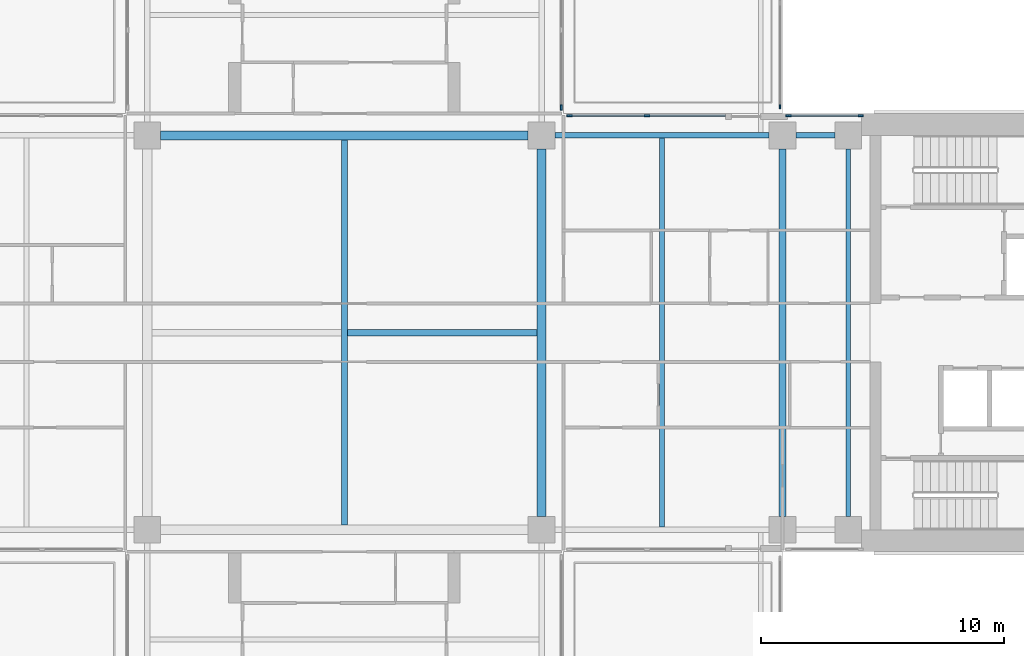
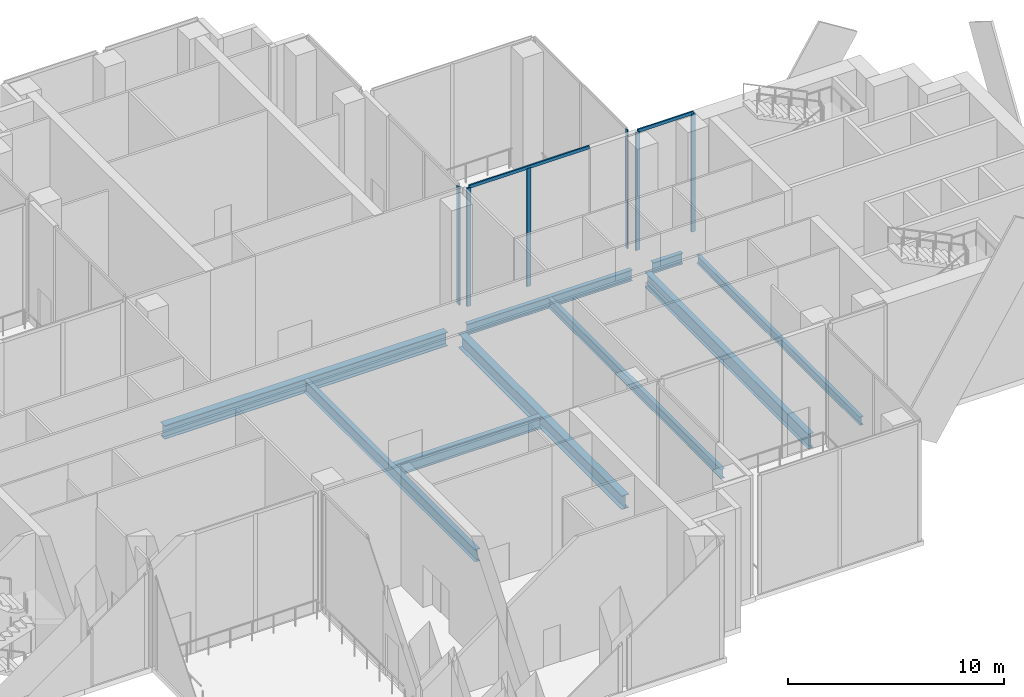
# One storey, part 4 of 17: 9 beams, 8 members, 4 elements without a shape of their own.
"""IFC4 building model written with IfcOpenShell, lengths in metres."""

from ifc_helpers import new_model, si_unit, direction, frame, origin, origin_2d, place, context, subcontext, project, spatial, rectangle, i_section, extrude, material, material_profile, profile_set, type_object, element, aggregate, save


model = new_model("IFC4")

# Units and contexts
model_context = context("Model", 3, precision=1e-05, world=origin(), true_north=direction((0.0, 1.0)))
body_context = subcontext(model_context, "Body", "Model", "MODEL_VIEW")
ifc_project = project(units=[si_unit("LENGTHUNIT", "METRE"), si_unit("AREAUNIT", "SQUARE_METRE"), si_unit("VOLUMEUNIT", "CUBIC_METRE"), si_unit("PLANEANGLEUNIT", "RADIAN"), si_unit("MASSUNIT", "GRAM", prefix="KILO")], contexts=[model_context])

# Site, building, storey
site_placement = place(None, origin())
site = spatial("IfcSite", under=ifc_project, at=site_placement, CompositionType="ELEMENT")
building_placement = place(site_placement, origin())
building = spatial("IfcBuilding", under=site, at=building_placement, Name="Perihelion Cross Residences", CompositionType="ELEMENT")
storey_placement = place(building_placement, frame((0.0, 0.0, 154.89990234375)))
storey = spatial("IfcBuildingStorey", under=building, at=storey_placement, Name="L38", CompositionType="ELEMENT", Elevation=154.89990234375)

# Curtain wall, members
ifc_material_1 = material(Name="Bronze anodised aluminium, tinted glazing", Category="aluminium")
curtain_wall_type_1 = type_object("IfcCurtainWallType", Name="CW3", PredefinedType="NOTDEFINED", material=ifc_material_1)
curtain_wall_1_placement = place(storey_placement, origin())
curtain_wall_1 = element("IfcCurtainWall", 1, at=curtain_wall_1_placement, inside=storey, type_object=curtain_wall_type_1, Name="Curtain wall CW3 L38 east side north bay 1", PredefinedType="NOTDEFINED")
ifc_material_2 = material(Name="Bronze anodised aluminium", Category="aluminium")
ifc_material_profile_1 = material_profile(ifc_material_2, rectangle(XDim=0.080078125, YDim=0.219970703125, at=origin_2d()), Name="CW3 mullion")
ifc_profile_set_1 = profile_set([ifc_material_profile_1], Name="Bronze anodised aluminium")
member_type_1 = type_object("IfcMemberType", Name="CW3 mullion", PredefinedType="MULLION", material=ifc_profile_set_1)
member_1_placement = place(storey_placement, frame((21.2099609375, 8.89990234375, 0.0), z_axis=(0.0, 0.0, 1.0), x_axis=(0.0, -1.0, 0.0)))
member_1 = element("IfcMember", 2, at=member_1_placement, type_object=member_type_1, Name="CW3 mullion 1", PredefinedType="MULLION", context=body_context, shape_type="SweptSolid", body=[
    extrude(rectangle(XDim=0.080078125, YDim=0.219970703125, at=origin_2d()), origin(), (0.0, 0.0, 1.0), 6.670166015625),
])
member_2_placement = place(storey_placement, frame((18.239990234375, 8.89990234375, 0.0), z_axis=(0.0, 0.0, 1.0), x_axis=(0.0, -1.0, 0.0)))
member_2 = element("IfcMember", 3, at=member_2_placement, type_object=member_type_1, Name="CW3 mullion 2", PredefinedType="MULLION", context=body_context, shape_type="SweptSolid", body=[
    extrude(rectangle(XDim=0.080078125, YDim=0.219970703125, at=origin_2d()), origin(), (0.0, 0.0, 1.0), 6.670166015625),
])

curtain_wall_2_placement = place(storey_placement, origin())
curtain_wall_2 = element("IfcCurtainWall", 4, at=curtain_wall_2_placement, inside=storey, type_object=curtain_wall_type_1, Name="Curtain wall CW3 L38 east side north bay 2", PredefinedType="NOTDEFINED")
member_3_placement = place(storey_placement, frame((12.425048828125, 8.89990234375, 0.0), z_axis=(0.0, 0.0, 1.0), x_axis=(0.0, -1.0, 0.0)))
member_3 = element("IfcMember", 5, at=member_3_placement, type_object=member_type_1, Name="CW3 mullion 2", PredefinedType="MULLION", context=body_context, shape_type="SweptSolid", body=[
    extrude(rectangle(XDim=0.080078125, YDim=0.219970703125, at=origin_2d()), origin(), (0.0, 0.0, 1.0), 6.670166015625),
])
member_4_placement = place(storey_placement, frame((9.239990234375, 8.89990234375, 0.0), z_axis=(0.0, 0.0, 1.0), x_axis=(0.0, -1.0, 0.0)))
member_4 = element("IfcMember", 6, at=member_4_placement, type_object=member_type_1, Name="CW3 mullion 3", PredefinedType="MULLION", context=body_context, shape_type="SweptSolid", body=[
    extrude(rectangle(XDim=0.080078125, YDim=0.219970703125, at=origin_2d()), origin(), (0.0, 0.0, 1.0), 6.670166015625),
])

# Curtain wall, member
curtain_wall_3_placement = place(storey_placement, origin())
curtain_wall_3 = element("IfcCurtainWall", 7, at=curtain_wall_3_placement, inside=storey, type_object=curtain_wall_type_1, Name="Curtain wall CW3 L38 north side east bay 1", PredefinedType="NOTDEFINED")
member_5_placement = place(storey_placement, frame((8.89990234375, 9.239990234375, 0.0), z_axis=(0.0, 0.0, 1.0), x_axis=(-1.0, 0.0, 0.0)))
member_5 = element("IfcMember", 8, at=member_5_placement, type_object=member_type_1, Name="CW3 mullion 1", PredefinedType="MULLION", context=body_context, shape_type="SweptSolid", body=[
    extrude(rectangle(XDim=0.080078125, YDim=0.219970703125, at=origin_2d()), origin(), (0.0, 0.0, 1.0), 6.670166015625),
])
aggregate(curtain_wall_3, [member_5])

# Member
ifc_material_3 = material(Name="Bronze anodised aluminium", Category="aluminium")
ifc_material_profile_2 = material_profile(ifc_material_3, rectangle(XDim=0.080078125, YDim=0.179931640625, at=origin_2d()), Name="CW3 transom")
ifc_profile_set_2 = profile_set([ifc_material_profile_2], Name="Bronze anodised aluminium")
member_type_2 = type_object("IfcMemberType", Name="CW3 transom", PredefinedType="USERDEFINED", material=ifc_profile_set_2)
member_6_placement = place(storey_placement, frame((21.2099609375, 8.89990234375, 6.710205078125), z_axis=(-1.0, 0.0, 0.0), x_axis=(0.0, -1.0, 0.0)))
member_6 = element("IfcMember", 9, at=member_6_placement, type_object=member_type_2, Name="CW3 head transom", ObjectType="TRANSOM", PredefinedType="USERDEFINED", context=body_context, shape_type="SweptSolid", body=[
    extrude(rectangle(XDim=0.080078125, YDim=0.179931640625, at=origin_2d()), origin(), (0.0, 0.0, 1.0), 2.969970703125),
])

aggregate(curtain_wall_1, [member_1, member_2, member_6])

member_7_placement = place(storey_placement, frame((15.64990234375, 8.89990234375, 6.710205078125), z_axis=(-1.0, 0.0, 0.0), x_axis=(0.0, -1.0, 0.0)))
member_7 = element("IfcMember", 10, at=member_7_placement, type_object=member_type_2, Name="CW3 head transom", ObjectType="TRANSOM", PredefinedType="USERDEFINED", context=body_context, shape_type="SweptSolid", body=[
    extrude(rectangle(XDim=0.080078125, YDim=0.179931640625, at=origin_2d()), origin(), (0.0, 0.0, 1.0), 6.409912109375),
])

aggregate(curtain_wall_2, [member_3, member_4, member_7])

# Curtain wall, member
ifc_material_4 = material(Name="Bronze anodised aluminium, tinted glazing", Category="aluminium")
curtain_wall_type_2 = type_object("IfcCurtainWallType", Name="CW4", PredefinedType="NOTDEFINED", material=ifc_material_4)
curtain_wall_4_placement = place(storey_placement, origin())
curtain_wall_4 = element("IfcCurtainWall", 11, at=curtain_wall_4_placement, inside=storey, type_object=curtain_wall_type_2, Name="Curtain wall CW4 L38 pocket north-east 1 2", PredefinedType="NOTDEFINED")
ifc_material_5 = material(Name="Bronze anodised aluminium", Category="aluminium")
ifc_material_profile_3 = material_profile(ifc_material_5, rectangle(XDim=0.06005859375, YDim=0.179931640625, at=origin_2d()), Name="CW4 mullion")
ifc_profile_set_3 = profile_set([ifc_material_profile_3], Name="Bronze anodised aluminium")
member_type_3 = type_object("IfcMemberType", Name="CW4 mullion", PredefinedType="MULLION", material=ifc_profile_set_3)
member_8_placement = place(storey_placement, frame((17.89990234375, 9.280029296875, 0.0), z_axis=(0.0, 0.0, 1.0), x_axis=(1.0, 0.0, 0.0)))
member_8 = element("IfcMember", 12, at=member_8_placement, type_object=member_type_3, Name="CW4 mullion 3", PredefinedType="MULLION", context=body_context, shape_type="SweptSolid", body=[
    extrude(rectangle(XDim=0.06005859375, YDim=0.179931640625, at=origin_2d()), origin(), (0.0, 0.0, 1.0), 6.690185546875),
])
aggregate(curtain_wall_4, [member_8])

# Beams
ifc_material_6 = material(Name="Steel S355", Category="steel")
ifc_material_profile_4 = material_profile(ifc_material_6, i_section(OverallWidth=0.194091796875, OverallDepth=0.469970703125, WebThickness=0.0126953125, FlangeThickness=0.0205078125, at=origin_2d()), Name="W460x106")
ifc_profile_set_4 = profile_set([ifc_material_profile_4], Name="Steel S355")
beam_type_1 = type_object("IfcBeamType", Name="Core edge beam W460x106", PredefinedType="BEAM", material=ifc_profile_set_4)
beam_1_placement = place(storey_placement, frame((20.699951171875, -7.550048828125, -0.534912109375), z_axis=(0.0, 1.0, 0.0), x_axis=(-1.0, 0.0, 0.0)))
element("IfcBeam", 13, at=beam_1_placement, inside=storey, type_object=beam_type_1, Name="Core edge beam TB5 L38 no. 2", PredefinedType="BEAM", context=body_context, shape_type="SweptSolid", body=[
    extrude(i_section(OverallWidth=0.194091796875, OverallDepth=0.469970703125, WebThickness=0.0126953125, FlangeThickness=0.0205078125, at=origin_2d()), origin(), (0.0, 0.0, 1.0), 15.10009765625),
])
ifc_material_7 = material(Name="Steel S355", Category="steel")
ifc_material_profile_5 = material_profile(ifc_material_7, i_section(OverallWidth=0.22900390625, OverallDepth=0.612060546875, WebThickness=0.011962890625, FlangeThickness=0.01953125, at=origin_2d()), Name="W610x125")
ifc_profile_set_5 = profile_set([ifc_material_profile_5], Name="Steel S355")
beam_type_2 = type_object("IfcBeamType", Name="Edge beam W610x125", PredefinedType="SPANDREL", material=ifc_profile_set_5)
beam_2_placement = place(storey_placement, frame((20.14990234375, 8.10009765625, -0.60595703125), z_axis=(-1.0, 0.0, 0.0), x_axis=(0.0, -1.0, 0.0)))
element("IfcBeam", 14, at=beam_2_placement, inside=storey, type_object=beam_type_2, Name="Edge beam SB3 L38 no. 13", PredefinedType="SPANDREL", context=body_context, shape_type="SweptSolid", body=[
    extrude(i_section(OverallWidth=0.22900390625, OverallDepth=0.612060546875, WebThickness=0.011962890625, FlangeThickness=0.01953125, at=origin_2d()), origin(), (0.0, 0.0, 1.0), 1.599853515625),
])
beam_3_placement = place(storey_placement, frame((17.449951171875, 8.10009765625, -0.60595703125), z_axis=(-1.0, 0.0, 0.0), x_axis=(0.0, -1.0, 0.0)))
element("IfcBeam", 15, at=beam_3_placement, inside=storey, type_object=beam_type_2, Name="Edge beam SB3 L38 no. 12", PredefinedType="SPANDREL", context=body_context, shape_type="SweptSolid", body=[
    extrude(i_section(OverallWidth=0.22900390625, OverallDepth=0.612060546875, WebThickness=0.011962890625, FlangeThickness=0.01953125, at=origin_2d()), origin(), (0.0, 0.0, 1.0), 8.800048828125),
])
ifc_material_8 = material(Name="Steel S355", Category="steel")
ifc_material_profile_6 = material_profile(ifc_material_8, i_section(OverallWidth=0.2919921875, OverallDepth=0.8359375, WebThickness=0.013916015625, FlangeThickness=0.018798828125, at=origin_2d()), Name="W840x176")
ifc_profile_set_6 = profile_set([ifc_material_profile_6], Name="Steel S355")
beam_type_3 = type_object("IfcBeamType", Name="Floor girder W840x176", PredefinedType="BEAM", material=ifc_profile_set_6)
beam_4_placement = place(storey_placement, frame((18.0, -7.550048828125, -0.718017578125), z_axis=(0.0, 1.0, 0.0), x_axis=(-1.0, 0.0, 0.0)))
element("IfcBeam", 16, at=beam_4_placement, inside=storey, type_object=beam_type_3, Name="Girder G3 L38 no. 2", PredefinedType="BEAM", context=body_context, shape_type="SweptSolid", body=[
    extrude(i_section(OverallWidth=0.2919921875, OverallDepth=0.8359375, WebThickness=0.013916015625, FlangeThickness=0.018798828125, at=origin_2d()), origin(), (0.0, 0.0, 1.0), 15.10009765625),
])
ifc_material_9 = material(Name="Steel S355", Category="steel")
ifc_material_profile_7 = material_profile(ifc_material_9, i_section(OverallWidth=0.208984375, OverallDepth=0.532958984375, WebThickness=0.01025390625, FlangeThickness=0.015625, at=origin_2d()), Name="W530x92")
ifc_profile_set_7 = profile_set([ifc_material_profile_7], Name="Steel S355")
beam_type_4 = type_object("IfcBeamType", Name="Floor joist W530x92", PredefinedType="JOIST", material=ifc_profile_set_7)
beam_5_placement = place(storey_placement, frame((13.050048828125, -7.985595703125, -0.56640625), z_axis=(0.0, 1.0, 0.0), x_axis=(-1.0, 0.0, 0.0)))
element("IfcBeam", 17, at=beam_5_placement, inside=storey, type_object=beam_type_4, Name="Joist J4 L38 no. 2", PredefinedType="JOIST", context=body_context, shape_type="SweptSolid", body=[
    extrude(i_section(OverallWidth=0.208984375, OverallDepth=0.532958984375, WebThickness=0.01025390625, FlangeThickness=0.015625, at=origin_2d()), origin(), (0.0, 0.0, 1.0), 15.97119140625),
])
ifc_material_10 = material(Name="Steel S355", Category="steel")
ifc_material_profile_8 = material_profile(ifc_material_10, i_section(OverallWidth=0.257080078125, OverallDepth=0.693115234375, WebThickness=0.014404296875, FlangeThickness=0.023681640625, at=origin_2d()), Name="W690x170")
ifc_profile_set_8 = profile_set([ifc_material_profile_8], Name="Steel S355")
beam_type_5 = type_object("IfcBeamType", Name="Hub cross beam W690x170", PredefinedType="BEAM", material=ifc_profile_set_8)
beam_6_placement = place(storey_placement, frame((0.0, -7.909423828125, -0.646484375), z_axis=(0.0, 1.0, 0.0), x_axis=(-1.0, 0.0, 0.0)))
element("IfcBeam", 18, at=beam_6_placement, inside=storey, type_object=beam_type_5, Name="Hub cross beam XB3 L38 no. 1", PredefinedType="BEAM", context=body_context, shape_type="SweptSolid", body=[
    extrude(i_section(OverallWidth=0.257080078125, OverallDepth=0.693115234375, WebThickness=0.014404296875, FlangeThickness=0.023681640625, at=origin_2d()), origin(), (0.0, 0.0, 1.0), 15.81884765625),
])
beam_7_placement = place(storey_placement, frame((0.12841796875, 0.0, -0.646484375), z_axis=(1.0, 0.0, 0.0), x_axis=(0.0, 1.0, 0.0)))
element("IfcBeam", 19, at=beam_7_placement, inside=storey, type_object=beam_type_5, Name="Hub cross beam XB3 L38 2 no. 1", PredefinedType="BEAM", context=body_context, shape_type="SweptSolid", body=[
    extrude(i_section(OverallWidth=0.257080078125, OverallDepth=0.693115234375, WebThickness=0.014404296875, FlangeThickness=0.023681640625, at=origin_2d()), origin(), (0.0, 0.0, 1.0), 7.781005859375),
])
ifc_material_11 = material(Name="Steel S355", Category="steel")
ifc_material_profile_9 = material_profile(ifc_material_11, i_section(OverallWidth=0.381103515625, OverallDepth=0.77197265625, WebThickness=0.0166015625, FlangeThickness=0.027099609375, at=origin_2d()), Name="W760x257")
ifc_profile_set_9 = profile_set([ifc_material_profile_9], Name="Steel S355")
beam_type_6 = type_object("IfcBeamType", Name="Hub ring girder W760x257", PredefinedType="BEAM", material=ifc_profile_set_9)
for number, where, z_axis, x_axis, name in (
    (20, (8.10009765625, -7.550048828125, -0.685791015625), (0.0, 1.0, 0.0), (-1.0, 0.0, 0.0), "Hub ring girder RG3 L38 no. 3"),
    (21, (7.550048828125, 8.10009765625, -0.685791015625), (-1.0, 0.0, 0.0), (0.0, -1.0, 0.0), "Hub ring girder RG3 L38 no. 4"),
):
    element("IfcBeam", number, at=place(storey_placement, frame(where, z_axis=z_axis, x_axis=x_axis)), inside=storey, type_object=beam_type_6, Name=name, PredefinedType="BEAM", context=body_context, shape_type="SweptSolid", body=[
        extrude(i_section(OverallWidth=0.381103515625, OverallDepth=0.77197265625, WebThickness=0.0166015625, FlangeThickness=0.027099609375, at=origin_2d()), origin(), (0.0, 0.0, 1.0), 15.10009765625),
    ])

save(model, "model.ifc")
